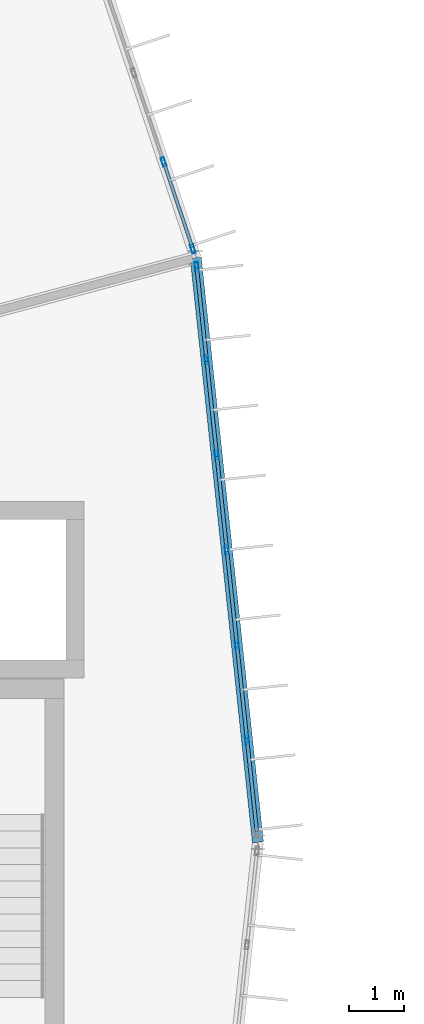
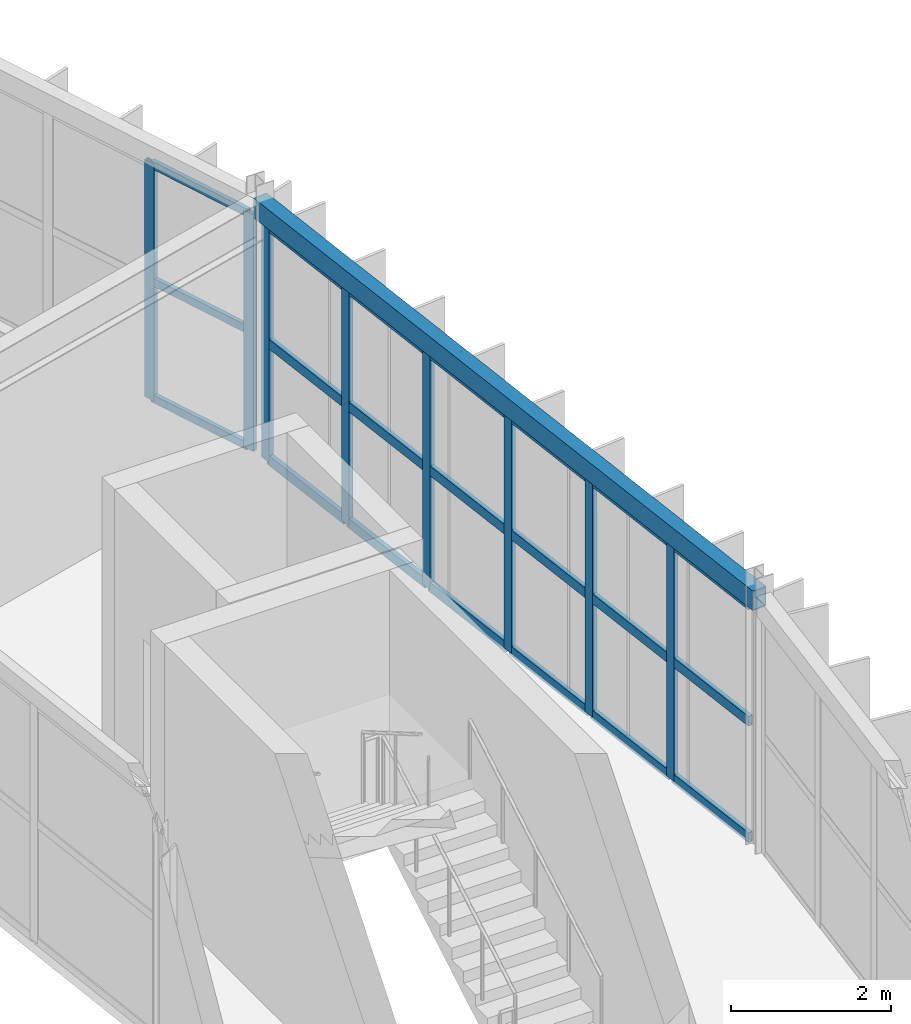
# One storey, part 61 of 130: 29 members, 1 beam, 2 elements without a shape of their own.
"""IFC4 building model written with IfcOpenShell, lengths in metres."""

from ifc_helpers import new_model, si_unit, direction, frame, origin, origin_2d, place, context, subcontext, project, spatial, hollow_rectangle, extrude, material, material_profile, profile_set, type_object, element, aggregate, save


model = new_model("IFC4")

# Units and contexts
model_context = context("Model", 3, precision=1e-05, world=origin(), true_north=direction((0.0, 1.0)))
body_context = subcontext(model_context, "Body", "Model", "MODEL_VIEW")
ifc_project = project(units=[si_unit("LENGTHUNIT", "METRE"), si_unit("AREAUNIT", "SQUARE_METRE"), si_unit("VOLUMEUNIT", "CUBIC_METRE"), si_unit("PLANEANGLEUNIT", "RADIAN"), si_unit("MASSUNIT", "GRAM", prefix="KILO")], contexts=[model_context])

# Site, building, storey
site_placement = place(None, origin())
site = spatial("IfcSite", under=ifc_project, at=site_placement, CompositionType="ELEMENT")
building_placement = place(site_placement, origin())
building = spatial("IfcBuilding", under=site, at=building_placement, Name="Karori Crest Natural Sciences Institute", CompositionType="ELEMENT")
storey_placement = place(building_placement, frame((0.0, 0.0, 17.5)))
storey = spatial("IfcBuildingStorey", under=building, at=storey_placement, Name="L04", CompositionType="ELEMENT", Elevation=17.5)

# Beam
ifc_material_1 = material(Name="Hollow structural steel AS/NZS 1163 Grade C350", Category="steel")
ifc_material_profile_1 = material_profile(ifc_material_1, hollow_rectangle(XDim=0.199951171875, YDim=0.300048828125, WallThickness=0.010009765625, at=origin_2d()), Name="RHS300x200x10")
ifc_profile_set_1 = profile_set([ifc_material_profile_1], Name="Hollow structural steel AS/NZS 1163 Grade C350")
beam_type = type_object("IfcBeamType", Name="BT-15", PredefinedType="SPANDREL", material=ifc_profile_set_1)
beam_placement = place(storey_placement, frame((99.39990234375, 49.89990234375, 3.7900390625), z_axis=(-0.105868278464, 0.994380162521, 0.0), x_axis=(-0.994380162521, -0.105868278464, 0.0)))
element("IfcBeam", 1, at=beam_placement, inside=storey, type_object=beam_type, Name="Beam B-0451", PredefinedType="SPANDREL", context=body_context, shape_type="SweptSolid", body=[
    extrude(hollow_rectangle(XDim=0.199951171875, YDim=0.300048828125, WallThickness=0.010009765625, at=origin_2d()), origin(), (0.0, 0.0, 1.0), 10.619384765625),
])

# Curtain wall, members
ifc_material_2 = material(Name="Anodised architectural aluminium 6063-T6", Category="aluminium")
curtain_wall_type_1 = type_object("IfcCurtainWallType", Name="CWT-01", PredefinedType="NOTDEFINED", material=ifc_material_2)
curtain_wall_1_placement = place(storey_placement, origin())
curtain_wall_1 = element("IfcCurtainWall", 2, at=curtain_wall_1_placement, inside=storey, type_object=curtain_wall_type_1, Name="Curtain wall CW-0136", PredefinedType="NOTDEFINED")
ifc_material_profile_2 = material_profile(ifc_material_2, hollow_rectangle(XDim=0.06494140625, YDim=0.159912109375, WallThickness=0.00390625, at=origin_2d()), Name="CWM160x65x4")
ifc_profile_set_2 = profile_set([ifc_material_profile_2], Name="Anodised architectural aluminium 6063-T6")
member_type_1 = type_object("IfcMemberType", Name="CWM-01", PredefinedType="MULLION", material=ifc_profile_set_2)
member_1_placement = place(storey_placement, frame((98.292236328125, 60.302490234375, 0.0), z_axis=(0.0, 0.0, 1.0), x_axis=(0.994378435661, 0.105884496939, 0.0)))
member_1 = element("IfcMember", 3, at=member_1_placement, type_object=member_type_1, Name="CW-0136 mullion 1", PredefinedType="MULLION", context=body_context, shape_type="SweptSolid", body=[
    extrude(hollow_rectangle(XDim=0.06494140625, YDim=0.159912109375, WallThickness=0.00390625, at=origin_2d()), origin(), (0.0, 0.0, 1.0), 3.625),
])
member_2_placement = place(storey_placement, frame((98.471923828125, 58.616943359375, 0.0), z_axis=(0.0, 0.0, 1.0), x_axis=(0.994378435661, 0.105884496939, 0.0)))
member_2 = element("IfcMember", 4, at=member_2_placement, type_object=member_type_1, Name="CW-0136 mullion 2", PredefinedType="MULLION", context=body_context, shape_type="SweptSolid", body=[
    extrude(hollow_rectangle(XDim=0.06494140625, YDim=0.159912109375, WallThickness=0.00390625, at=origin_2d()), origin(), (0.0, 0.0, 1.0), 3.625),
])
member_3_placement = place(storey_placement, frame((98.65478515625, 56.899169921875, 0.0), z_axis=(0.0, 0.0, 1.0), x_axis=(0.994378435661, 0.105884496939, 0.0)))
member_3 = element("IfcMember", 5, at=member_3_placement, type_object=member_type_1, Name="CW-0136 mullion 3", PredefinedType="MULLION", context=body_context, shape_type="SweptSolid", body=[
    extrude(hollow_rectangle(XDim=0.06494140625, YDim=0.159912109375, WallThickness=0.00390625, at=origin_2d()), origin(), (0.0, 0.0, 1.0), 3.625),
])
member_4_placement = place(storey_placement, frame((98.837646484375, 55.181396484375, 0.0), z_axis=(0.0, 0.0, 1.0), x_axis=(0.994378435661, 0.105884496939, 0.0)))
member_4 = element("IfcMember", 6, at=member_4_placement, type_object=member_type_1, Name="CW-0136 mullion 4", PredefinedType="MULLION", context=body_context, shape_type="SweptSolid", body=[
    extrude(hollow_rectangle(XDim=0.06494140625, YDim=0.159912109375, WallThickness=0.00390625, at=origin_2d()), origin(), (0.0, 0.0, 1.0), 3.625),
])
member_5_placement = place(storey_placement, frame((99.0205078125, 53.463623046875, 0.0), z_axis=(0.0, 0.0, 1.0), x_axis=(0.994378435661, 0.105884496939, 0.0)))
member_5 = element("IfcMember", 7, at=member_5_placement, type_object=member_type_1, Name="CW-0136 mullion 5", PredefinedType="MULLION", context=body_context, shape_type="SweptSolid", body=[
    extrude(hollow_rectangle(XDim=0.06494140625, YDim=0.159912109375, WallThickness=0.00390625, at=origin_2d()), origin(), (0.0, 0.0, 1.0), 3.625),
])
member_6_placement = place(storey_placement, frame((99.203369140625, 51.745849609375, 0.0), z_axis=(0.0, 0.0, 1.0), x_axis=(0.994378435661, 0.105884496939, 0.0)))
member_6 = element("IfcMember", 8, at=member_6_placement, type_object=member_type_1, Name="CW-0136 mullion 6", PredefinedType="MULLION", context=body_context, shape_type="SweptSolid", body=[
    extrude(hollow_rectangle(XDim=0.06494140625, YDim=0.159912109375, WallThickness=0.00390625, at=origin_2d()), origin(), (0.0, 0.0, 1.0), 3.625),
])

curtain_wall_type_2 = type_object("IfcCurtainWallType", Name="CWT-02", PredefinedType="NOTDEFINED", material=ifc_material_2)
curtain_wall_2_placement = place(storey_placement, origin())
curtain_wall_2 = element("IfcCurtainWall", 9, at=curtain_wall_2_placement, inside=storey, type_object=curtain_wall_type_2, Name="Curtain wall CW-0138", PredefinedType="NOTDEFINED")
member_7_placement = place(storey_placement, frame((97.695556640625, 62.19091796875, 0.0), z_axis=(0.0, 0.0, 1.0), x_axis=(0.94819805026, 0.317679803392, 0.0)))
member_7 = element("IfcMember", 10, at=member_7_placement, type_object=member_type_1, Name="CW-0138 mullion 6", PredefinedType="MULLION", context=body_context, shape_type="SweptSolid", body=[
    extrude(hollow_rectangle(XDim=0.06494140625, YDim=0.159912109375, WallThickness=0.00390625, at=origin_2d()), origin(), (0.0, 0.0, 1.0), 3.625),
])
member_8_placement = place(storey_placement, frame((98.223388671875, 60.61572265625, 0.0), z_axis=(0.0, 0.0, 1.0), x_axis=(0.94819805026, 0.317679803392, 0.0)))
member_8 = element("IfcMember", 11, at=member_8_placement, type_object=member_type_1, Name="CW-0138 mullion 7", PredefinedType="MULLION", context=body_context, shape_type="SweptSolid", body=[
    extrude(hollow_rectangle(XDim=0.06494140625, YDim=0.159912109375, WallThickness=0.00390625, at=origin_2d()), origin(), (0.0, 0.0, 1.0), 3.625),
])
ifc_material_profile_3 = material_profile(ifc_material_2, hollow_rectangle(XDim=0.06005859375, YDim=0.1201171875, WallThickness=0.00390625, at=origin_2d()), Name="CWT120x60x4")
ifc_profile_set_3 = profile_set([ifc_material_profile_3], Name="Anodised architectural aluminium 6063-T6")
member_type_2 = type_object("IfcMemberType", Name="CWT-TR1", PredefinedType="USERDEFINED", material=ifc_profile_set_3)
member_9_placement = place(storey_placement, frame((97.7060546875, 62.16015625, 0.030029296875), z_axis=(0.317649722808, -0.948208127786, 0.0), x_axis=(0.948208127786, 0.317649722808, 0.0)))
member_9 = element("IfcMember", 12, at=member_9_placement, type_object=member_type_2, Name="CW-0138 transom 6.1", ObjectType="TRANSOM", PredefinedType="USERDEFINED", context=body_context, shape_type="SweptSolid", body=[
    extrude(hollow_rectangle(XDim=0.06005859375, YDim=0.1201171875, WallThickness=0.00390625, at=origin_2d()), origin(), (0.0, 0.0, 1.0), 1.596435546875),
])
member_10_placement = place(storey_placement, frame((97.7060546875, 62.16015625, 1.8125), z_axis=(0.317649722808, -0.948208127786, 0.0), x_axis=(0.948208127786, 0.317649722808, 0.0)))
member_10 = element("IfcMember", 13, at=member_10_placement, type_object=member_type_2, Name="CW-0138 transom 6.2", ObjectType="TRANSOM", PredefinedType="USERDEFINED", context=body_context, shape_type="SweptSolid", body=[
    extrude(hollow_rectangle(XDim=0.06005859375, YDim=0.1201171875, WallThickness=0.00390625, at=origin_2d()), origin(), (0.0, 0.0, 1.0), 1.596435546875),
])
member_11_placement = place(storey_placement, frame((97.7060546875, 62.16015625, 3.594970703125), z_axis=(0.317649722808, -0.948208127786, 0.0), x_axis=(0.948208127786, 0.317649722808, 0.0)))
member_11 = element("IfcMember", 14, at=member_11_placement, type_object=member_type_2, Name="CW-0138 transom 6.3", ObjectType="TRANSOM", PredefinedType="USERDEFINED", context=body_context, shape_type="SweptSolid", body=[
    extrude(hollow_rectangle(XDim=0.06005859375, YDim=0.1201171875, WallThickness=0.00390625, at=origin_2d()), origin(), (0.0, 0.0, 1.0), 1.596435546875),
])
aggregate(curtain_wall_2, [member_7, member_8, member_9, member_10, member_11])

# Member
ifc_material_profile_4 = material_profile(ifc_material_2, hollow_rectangle(XDim=0.06494140625, YDim=0.14990234375, WallThickness=0.00390625, at=origin_2d()), Name="CWT150x65x4")
ifc_profile_set_4 = profile_set([ifc_material_profile_4], Name="Anodised architectural aluminium 6063-T6")
member_type_3 = type_object("IfcMemberType", Name="CWT-TR2", PredefinedType="USERDEFINED", material=ifc_profile_set_4)
member_12_placement = place(storey_placement, frame((98.2958984375, 60.270263671875, 0.032470703125), z_axis=(0.105745089448, -0.99439327032, 0.0), x_axis=(0.99439327032, 0.105745089448, 0.0)))
member_12 = element("IfcMember", 15, at=member_12_placement, type_object=member_type_3, Name="CW-0136 transom 1.1", ObjectType="TRANSOM", PredefinedType="USERDEFINED", context=body_context, shape_type="SweptSolid", body=[
    extrude(hollow_rectangle(XDim=0.06494140625, YDim=0.14990234375, WallThickness=0.00390625, at=origin_2d()), origin(), (0.0, 0.0, 1.0), 1.6298828125),
])

member_13_placement = place(storey_placement, frame((98.2958984375, 60.270263671875, 1.8125), z_axis=(0.105745089448, -0.99439327032, 0.0), x_axis=(0.99439327032, 0.105745089448, 0.0)))
member_13 = element("IfcMember", 16, at=member_13_placement, type_object=member_type_3, Name="CW-0136 transom 1.2", ObjectType="TRANSOM", PredefinedType="USERDEFINED", context=body_context, shape_type="SweptSolid", body=[
    extrude(hollow_rectangle(XDim=0.06494140625, YDim=0.14990234375, WallThickness=0.00390625, at=origin_2d()), origin(), (0.0, 0.0, 1.0), 1.6298828125),
])

member_14_placement = place(storey_placement, frame((98.2958984375, 60.270263671875, 3.592529296875), z_axis=(0.105745089448, -0.99439327032, 0.0), x_axis=(0.99439327032, 0.105745089448, 0.0)))
member_14 = element("IfcMember", 17, at=member_14_placement, type_object=member_type_3, Name="CW-0136 transom 1.3", ObjectType="TRANSOM", PredefinedType="USERDEFINED", context=body_context, shape_type="SweptSolid", body=[
    extrude(hollow_rectangle(XDim=0.06494140625, YDim=0.14990234375, WallThickness=0.00390625, at=origin_2d()), origin(), (0.0, 0.0, 1.0), 1.6298828125),
])

member_15_placement = place(storey_placement, frame((98.475341796875, 58.584716796875, 0.032470703125), z_axis=(0.105869463411, -0.994380036363, 0.0), x_axis=(0.994380036363, 0.105869463411, 0.0)))
member_15 = element("IfcMember", 18, at=member_15_placement, type_object=member_type_3, Name="CW-0136 transom 2.1", ObjectType="TRANSOM", PredefinedType="USERDEFINED", context=body_context, shape_type="SweptSolid", body=[
    extrude(hollow_rectangle(XDim=0.06494140625, YDim=0.14990234375, WallThickness=0.00390625, at=origin_2d()), origin(), (0.0, 0.0, 1.0), 1.66259765625),
])

member_16_placement = place(storey_placement, frame((98.475341796875, 58.584716796875, 1.8125), z_axis=(0.105869463411, -0.994380036363, 0.0), x_axis=(0.994380036363, 0.105869463411, 0.0)))
member_16 = element("IfcMember", 19, at=member_16_placement, type_object=member_type_3, Name="CW-0136 transom 2.2", ObjectType="TRANSOM", PredefinedType="USERDEFINED", context=body_context, shape_type="SweptSolid", body=[
    extrude(hollow_rectangle(XDim=0.06494140625, YDim=0.14990234375, WallThickness=0.00390625, at=origin_2d()), origin(), (0.0, 0.0, 1.0), 1.66259765625),
])

member_17_placement = place(storey_placement, frame((98.475341796875, 58.584716796875, 3.592529296875), z_axis=(0.105869463411, -0.994380036363, 0.0), x_axis=(0.994380036363, 0.105869463411, 0.0)))
member_17 = element("IfcMember", 20, at=member_17_placement, type_object=member_type_3, Name="CW-0136 transom 2.3", ObjectType="TRANSOM", PredefinedType="USERDEFINED", context=body_context, shape_type="SweptSolid", body=[
    extrude(hollow_rectangle(XDim=0.06494140625, YDim=0.14990234375, WallThickness=0.00390625, at=origin_2d()), origin(), (0.0, 0.0, 1.0), 1.66259765625),
])

member_18_placement = place(storey_placement, frame((98.658203125, 56.866943359375, 0.032470703125), z_axis=(0.105869463411, -0.994380036363, 0.0), x_axis=(0.994380036363, 0.105869463411, 0.0)))
member_18 = element("IfcMember", 21, at=member_18_placement, type_object=member_type_3, Name="CW-0136 transom 3.1", ObjectType="TRANSOM", PredefinedType="USERDEFINED", context=body_context, shape_type="SweptSolid", body=[
    extrude(hollow_rectangle(XDim=0.06494140625, YDim=0.14990234375, WallThickness=0.00390625, at=origin_2d()), origin(), (0.0, 0.0, 1.0), 1.66259765625),
])

member_19_placement = place(storey_placement, frame((98.658203125, 56.866943359375, 1.8125), z_axis=(0.105869463411, -0.994380036363, 0.0), x_axis=(0.994380036363, 0.105869463411, 0.0)))
member_19 = element("IfcMember", 22, at=member_19_placement, type_object=member_type_3, Name="CW-0136 transom 3.2", ObjectType="TRANSOM", PredefinedType="USERDEFINED", context=body_context, shape_type="SweptSolid", body=[
    extrude(hollow_rectangle(XDim=0.06494140625, YDim=0.14990234375, WallThickness=0.00390625, at=origin_2d()), origin(), (0.0, 0.0, 1.0), 1.66259765625),
])

member_20_placement = place(storey_placement, frame((98.658203125, 56.866943359375, 3.592529296875), z_axis=(0.105869463411, -0.994380036363, 0.0), x_axis=(0.994380036363, 0.105869463411, 0.0)))
member_20 = element("IfcMember", 23, at=member_20_placement, type_object=member_type_3, Name="CW-0136 transom 3.3", ObjectType="TRANSOM", PredefinedType="USERDEFINED", context=body_context, shape_type="SweptSolid", body=[
    extrude(hollow_rectangle(XDim=0.06494140625, YDim=0.14990234375, WallThickness=0.00390625, at=origin_2d()), origin(), (0.0, 0.0, 1.0), 1.66259765625),
])

member_21_placement = place(storey_placement, frame((98.841064453125, 55.149169921875, 0.032470703125), z_axis=(0.105869463411, -0.994380036363, 0.0), x_axis=(0.994380036363, 0.105869463411, 0.0)))
member_21 = element("IfcMember", 24, at=member_21_placement, type_object=member_type_3, Name="CW-0136 transom 4.1", ObjectType="TRANSOM", PredefinedType="USERDEFINED", context=body_context, shape_type="SweptSolid", body=[
    extrude(hollow_rectangle(XDim=0.06494140625, YDim=0.14990234375, WallThickness=0.00390625, at=origin_2d()), origin(), (0.0, 0.0, 1.0), 1.66259765625),
])

member_22_placement = place(storey_placement, frame((98.841064453125, 55.149169921875, 1.8125), z_axis=(0.105869463411, -0.994380036363, 0.0), x_axis=(0.994380036363, 0.105869463411, 0.0)))
member_22 = element("IfcMember", 25, at=member_22_placement, type_object=member_type_3, Name="CW-0136 transom 4.2", ObjectType="TRANSOM", PredefinedType="USERDEFINED", context=body_context, shape_type="SweptSolid", body=[
    extrude(hollow_rectangle(XDim=0.06494140625, YDim=0.14990234375, WallThickness=0.00390625, at=origin_2d()), origin(), (0.0, 0.0, 1.0), 1.66259765625),
])

member_23_placement = place(storey_placement, frame((98.841064453125, 55.149169921875, 3.592529296875), z_axis=(0.105869463411, -0.994380036363, 0.0), x_axis=(0.994380036363, 0.105869463411, 0.0)))
member_23 = element("IfcMember", 26, at=member_23_placement, type_object=member_type_3, Name="CW-0136 transom 4.3", ObjectType="TRANSOM", PredefinedType="USERDEFINED", context=body_context, shape_type="SweptSolid", body=[
    extrude(hollow_rectangle(XDim=0.06494140625, YDim=0.14990234375, WallThickness=0.00390625, at=origin_2d()), origin(), (0.0, 0.0, 1.0), 1.66259765625),
])

member_24_placement = place(storey_placement, frame((99.02392578125, 53.431396484375, 0.032470703125), z_axis=(0.105869463411, -0.994380036363, 0.0), x_axis=(0.994380036363, 0.105869463411, 0.0)))
member_24 = element("IfcMember", 27, at=member_24_placement, type_object=member_type_3, Name="CW-0136 transom 5.1", ObjectType="TRANSOM", PredefinedType="USERDEFINED", context=body_context, shape_type="SweptSolid", body=[
    extrude(hollow_rectangle(XDim=0.06494140625, YDim=0.14990234375, WallThickness=0.00390625, at=origin_2d()), origin(), (0.0, 0.0, 1.0), 1.66259765625),
])

member_25_placement = place(storey_placement, frame((99.02392578125, 53.431396484375, 1.8125), z_axis=(0.105869463411, -0.994380036363, 0.0), x_axis=(0.994380036363, 0.105869463411, 0.0)))
member_25 = element("IfcMember", 28, at=member_25_placement, type_object=member_type_3, Name="CW-0136 transom 5.2", ObjectType="TRANSOM", PredefinedType="USERDEFINED", context=body_context, shape_type="SweptSolid", body=[
    extrude(hollow_rectangle(XDim=0.06494140625, YDim=0.14990234375, WallThickness=0.00390625, at=origin_2d()), origin(), (0.0, 0.0, 1.0), 1.66259765625),
])

member_26_placement = place(storey_placement, frame((99.02392578125, 53.431396484375, 3.592529296875), z_axis=(0.105869463411, -0.994380036363, 0.0), x_axis=(0.994380036363, 0.105869463411, 0.0)))
member_26 = element("IfcMember", 29, at=member_26_placement, type_object=member_type_3, Name="CW-0136 transom 5.3", ObjectType="TRANSOM", PredefinedType="USERDEFINED", context=body_context, shape_type="SweptSolid", body=[
    extrude(hollow_rectangle(XDim=0.06494140625, YDim=0.14990234375, WallThickness=0.00390625, at=origin_2d()), origin(), (0.0, 0.0, 1.0), 1.66259765625),
])

member_27_placement = place(storey_placement, frame((99.20703125, 51.71337890625, 0.032470703125), z_axis=(0.105893191658, -0.994377509782, 0.0), x_axis=(0.994377509782, 0.105893191658, 0.0)))
member_27 = element("IfcMember", 30, at=member_27_placement, type_object=member_type_3, Name="CW-0136 transom 6.1", ObjectType="TRANSOM", PredefinedType="USERDEFINED", context=body_context, shape_type="SweptSolid", body=[
    extrude(hollow_rectangle(XDim=0.06494140625, YDim=0.14990234375, WallThickness=0.00390625, at=origin_2d()), origin(), (0.0, 0.0, 1.0), 1.630126953125),
])

member_28_placement = place(storey_placement, frame((99.20703125, 51.71337890625, 1.8125), z_axis=(0.105893191658, -0.994377509782, 0.0), x_axis=(0.994377509782, 0.105893191658, 0.0)))
member_28 = element("IfcMember", 31, at=member_28_placement, type_object=member_type_3, Name="CW-0136 transom 6.2", ObjectType="TRANSOM", PredefinedType="USERDEFINED", context=body_context, shape_type="SweptSolid", body=[
    extrude(hollow_rectangle(XDim=0.06494140625, YDim=0.14990234375, WallThickness=0.00390625, at=origin_2d()), origin(), (0.0, 0.0, 1.0), 1.630126953125),
])

member_29_placement = place(storey_placement, frame((99.20703125, 51.71337890625, 3.592529296875), z_axis=(0.105893191658, -0.994377509782, 0.0), x_axis=(0.994377509782, 0.105893191658, 0.0)))
member_29 = element("IfcMember", 32, at=member_29_placement, type_object=member_type_3, Name="CW-0136 transom 6.3", ObjectType="TRANSOM", PredefinedType="USERDEFINED", context=body_context, shape_type="SweptSolid", body=[
    extrude(hollow_rectangle(XDim=0.06494140625, YDim=0.14990234375, WallThickness=0.00390625, at=origin_2d()), origin(), (0.0, 0.0, 1.0), 1.630126953125),
])

aggregate(curtain_wall_1, [member_1, member_2, member_3, member_4, member_5, member_6, member_12, member_13, member_14, member_15, member_16, member_17, member_18, member_19, member_20, member_21, member_22, member_23, member_24, member_25, member_26, member_27, member_28, member_29])

save(model, "model.ifc")
